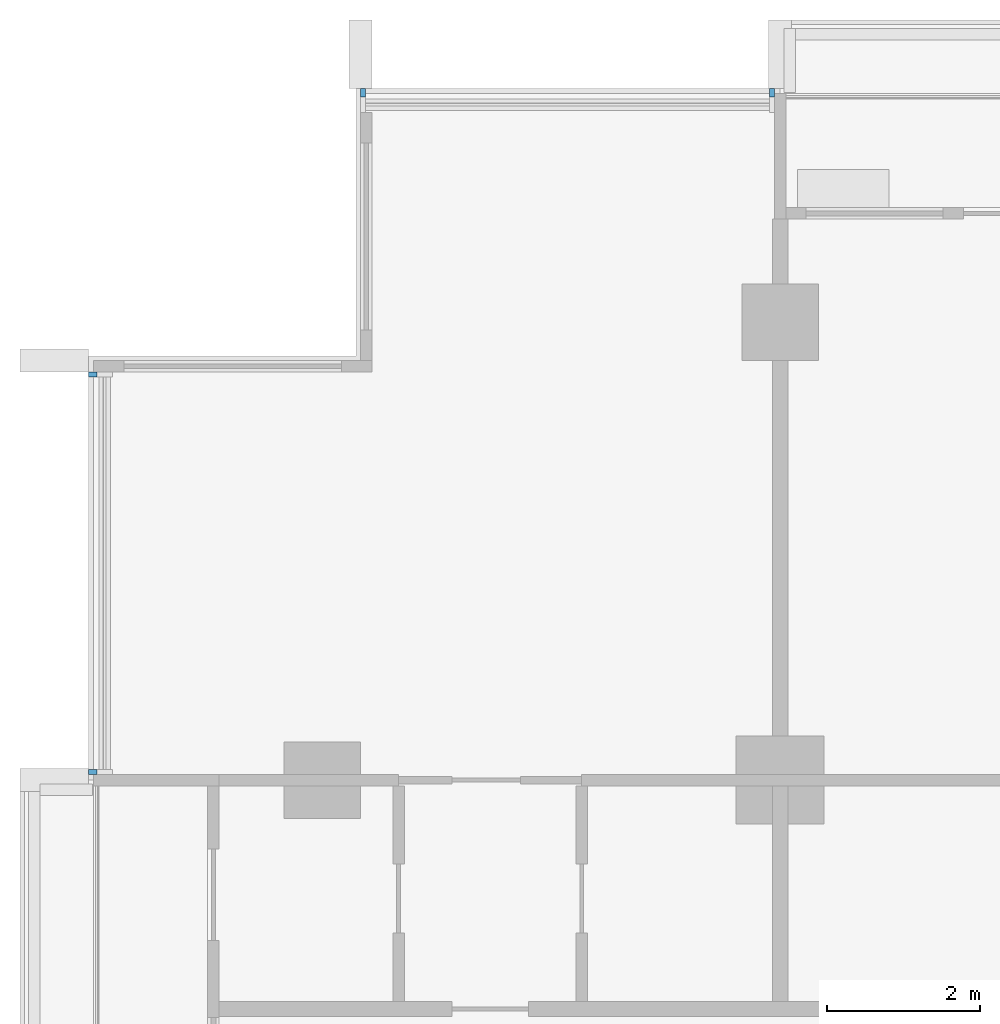
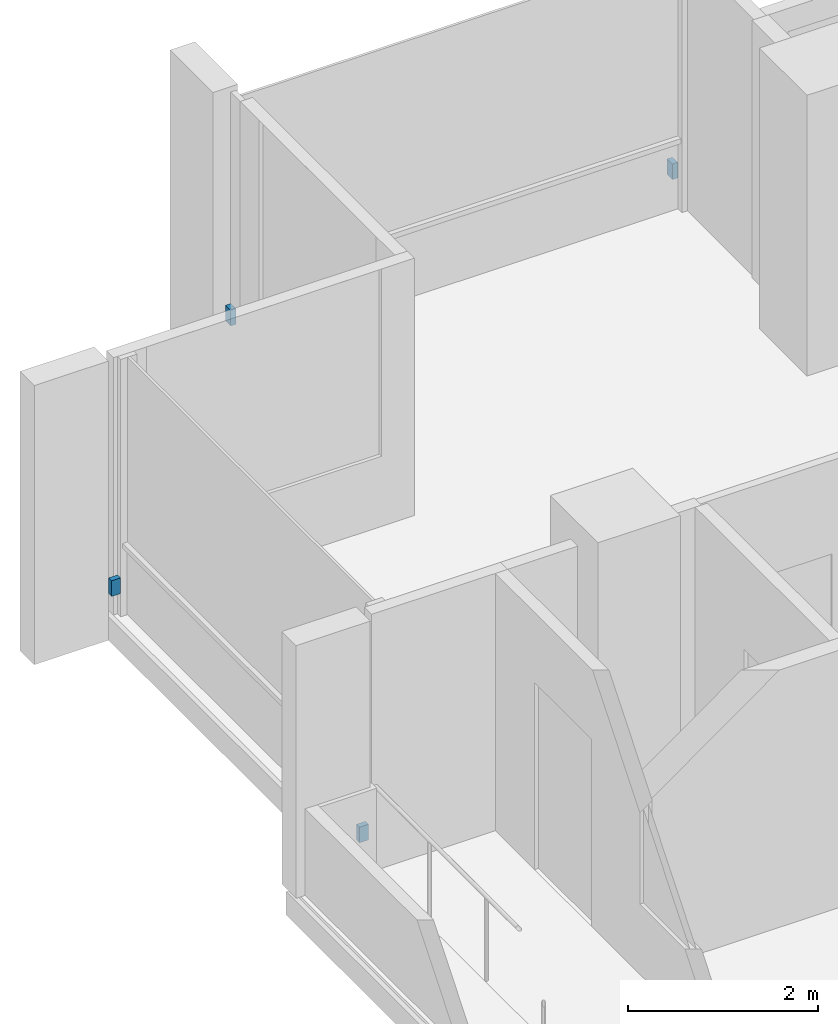
# One storey, part 15 of 17: 4 discrete accessories.
"""IFC4 building model written with IfcOpenShell, lengths in metres."""

from ifc_helpers import new_model, si_unit, direction, frame, origin, origin_2d, place, context, subcontext, project, spatial, rectangle, extrude, material, type_object, element, save


model = new_model("IFC4")

# Units and contexts
model_context = context("Model", 3, precision=1e-05, world=origin(), true_north=direction((0.0, 1.0)))
body_context = subcontext(model_context, "Body", "Model", "MODEL_VIEW")
ifc_project = project(units=[si_unit("LENGTHUNIT", "METRE"), si_unit("AREAUNIT", "SQUARE_METRE"), si_unit("VOLUMEUNIT", "CUBIC_METRE"), si_unit("PLANEANGLEUNIT", "RADIAN"), si_unit("MASSUNIT", "GRAM", prefix="KILO")], contexts=[model_context])

# Site, building, storey
site_placement = place(None, origin())
site = spatial("IfcSite", under=ifc_project, at=site_placement, CompositionType="ELEMENT")
building_placement = place(site_placement, origin())
building = spatial("IfcBuilding", under=site, at=building_placement, Name="Finial Court Residences", CompositionType="ELEMENT")
storey_placement = place(building_placement, frame((0.0, 0.0, 95.5)))
storey = spatial("IfcBuildingStorey", under=building, at=storey_placement, Name="L23", CompositionType="ELEMENT", Elevation=95.5)

# Discrete accessories
ifc_material = material(Name="Stainless steel 316", Category="steel")
discrete_accessory_type = type_object("IfcDiscreteAccessoryType", Name="Fin bracket, stainless steel 65 x 110 x 200", PredefinedType="BRACKET", material=ifc_material)
for number, where, z_axis, x_axis, name in (
    (1, (-21.967529296875, 22.5048828125, 0.2998046875), (0.0, 0.0, 1.0), (1.0, 0.0, 0.0), "E-L23-FIN-N1-BRK"),
    (2, (-16.607421875, 22.5048828125, 0.2998046875), (0.0, 0.0, 1.0), (1.0, 0.0, 0.0), "E-L23-FIN-N2-BRK"),
):
    element("IfcDiscreteAccessory", number, at=place(storey_placement, frame(where, z_axis=z_axis, x_axis=x_axis)), inside=storey, type_object=discrete_accessory_type, Name=name, PredefinedType="BRACKET", context=body_context, shape_type="SweptSolid", body=[
        extrude(rectangle(XDim=0.06494140625, YDim=0.110107421875, at=origin_2d()), origin(), (0.0, 0.0, 1.0), 0.199951171875),
    ])
for number, where, z_axis, x_axis, name in (
    (3, (-25.5048828125, 13.607421875, 0.2998046875), (0.0, 0.0, 1.0), (1.0, 0.0, 0.0), "E-L23-FIN-W31-BRK"),
    (4, (-25.5048828125, 18.8173828125, 0.2998046875), (0.0, 0.0, 1.0), (1.0, 0.0, 0.0), "E-L23-FIN-W32-BRK"),
):
    element("IfcDiscreteAccessory", number, at=place(storey_placement, frame(where, z_axis=z_axis, x_axis=x_axis)), inside=storey, type_object=discrete_accessory_type, Name=name, PredefinedType="BRACKET", context=body_context, shape_type="SweptSolid", body=[
        extrude(rectangle(XDim=0.110107421875, YDim=0.06494140625, at=origin_2d()), origin(), (0.0, 0.0, 1.0), 0.199951171875),
    ])

save(model, "model.ifc")
